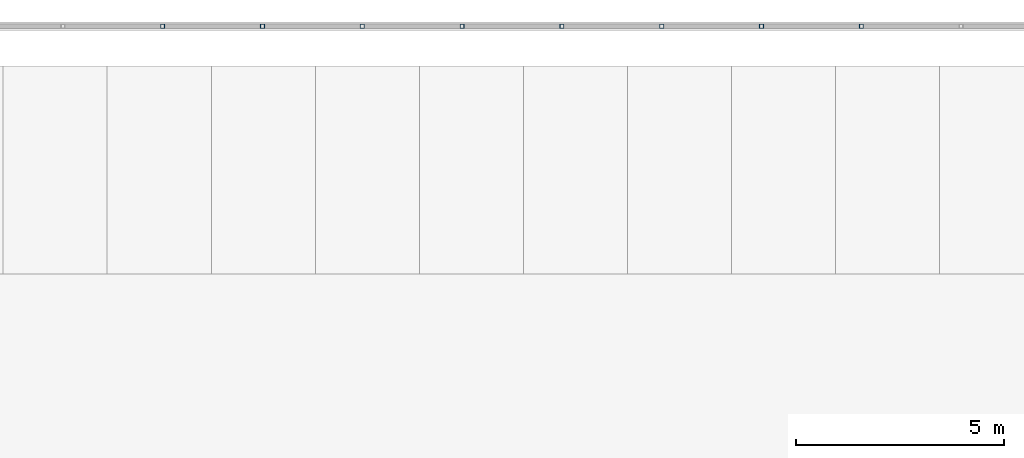
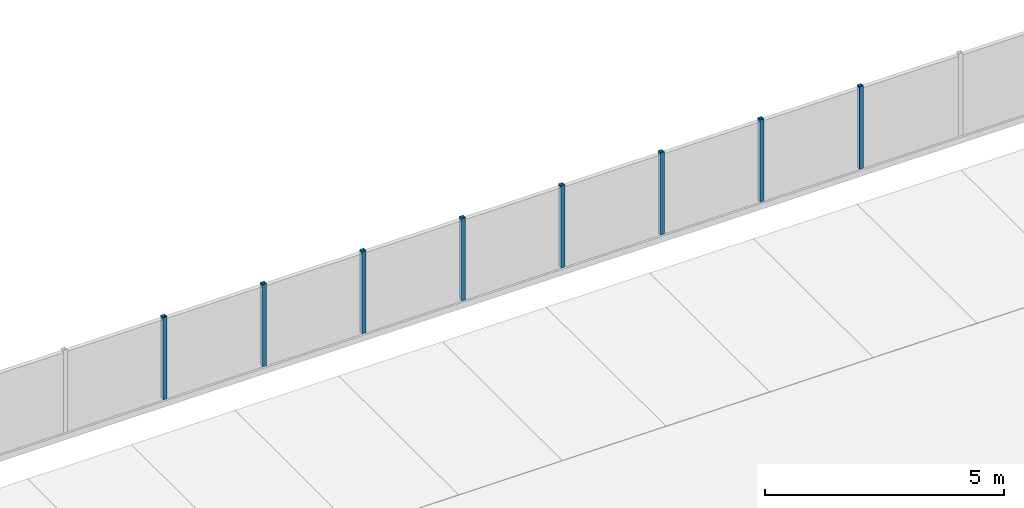
# One storey, part 23 of 129: 8 members.
"""IFC4 building model written with IfcOpenShell, lengths in metres."""

from ifc_helpers import new_model, si_unit, direction, frame, origin, origin_2d, place, context, subcontext, project, spatial, hollow_rectangle, extrude, material, material_profile, profile_set, type_object, element, save


model = new_model("IFC4")

# Units and contexts
model_context = context("Model", 3, precision=1e-05, world=origin(), true_north=direction((0.0, 1.0)))
body_context = subcontext(model_context, "Body", "Model", "MODEL_VIEW")
ifc_project = project(units=[si_unit("LENGTHUNIT", "METRE"), si_unit("AREAUNIT", "SQUARE_METRE"), si_unit("VOLUMEUNIT", "CUBIC_METRE"), si_unit("PLANEANGLEUNIT", "RADIAN"), si_unit("MASSUNIT", "GRAM", prefix="KILO")], contexts=[model_context])

# Site, building, storey
site_placement = place(None, origin())
site = spatial("IfcSite", under=ifc_project, at=site_placement, CompositionType="ELEMENT")
building_placement = place(site_placement, origin())
building = spatial("IfcBuilding", under=site, at=building_placement, Name="Kiln Court Media Centre", CompositionType="ELEMENT")
storey_placement = place(building_placement, origin())
storey = spatial("IfcBuildingStorey", under=building, at=storey_placement, Name="L00", CompositionType="ELEMENT", Elevation=0.0)

# Members
ifc_material = material(Name="Steel ASTM A500 Gr C", Category="steel")
ifc_material_profile = material_profile(ifc_material, hollow_rectangle(XDim=0.10009765625, YDim=0.10009765625, WallThickness=0.00634765625, at=origin_2d()), Name="SHS 100x100x6.3")
ifc_profile_set = profile_set([ifc_material_profile], Name="Steel ASTM A500 Gr C")
member_type = type_object("IfcMemberType", Name="Steel ASTM A500 Gr C fence post SHS 100x100x6.3", PredefinedType="USERDEFINED", material=ifc_profile_set)
for number, where, z_axis, x_axis, name in (
    (1, (33.631591796875, 87.85009765625, -1.050048828125), (0.0, 0.0, 1.0), (1.0, 0.0, 0.0), "Fence post 13"),
    (2, (36.0302734375, 87.85009765625, -1.050048828125), (0.0, 0.0, 1.0), (1.0, 0.0, 0.0), "Fence post 14"),
    (3, (38.4287109375, 87.85009765625, -1.050048828125), (0.0, 0.0, 1.0), (1.0, 0.0, 0.0), "Fence post 15"),
    (4, (40.8271484375, 87.85009765625, -1.050048828125), (0.0, 0.0, 1.0), (1.0, 0.0, 0.0), "Fence post 16"),
    (5, (43.2255859375, 87.85009765625, -1.050048828125), (0.0, 0.0, 1.0), (1.0, 0.0, 0.0), "Fence post 17"),
    (6, (45.6240234375, 87.85009765625, -1.050048828125), (0.0, 0.0, 1.0), (1.0, 0.0, 0.0), "Fence post 18"),
    (7, (48.022705078125, 87.85009765625, -1.050048828125), (0.0, 0.0, 1.0), (1.0, 0.0, 0.0), "Fence post 19"),
    (8, (50.421142578125, 87.85009765625, -1.050048828125), (0.0, 0.0, 1.0), (1.0, 0.0, 0.0), "Fence post 20"),
):
    element("IfcMember", number, at=place(storey_placement, frame(where, z_axis=z_axis, x_axis=x_axis)), inside=storey, type_object=member_type, Name=name, ObjectType="FENCE POST", PredefinedType="USERDEFINED", context=body_context, shape_type="SweptSolid", body=[
        extrude(hollow_rectangle(XDim=0.10009765625, YDim=0.10009765625, WallThickness=0.00634765625, at=origin_2d()), origin(), (0.0, 0.0, 1.0), 2.10009765625),
    ])

save(model, "model.ifc")
